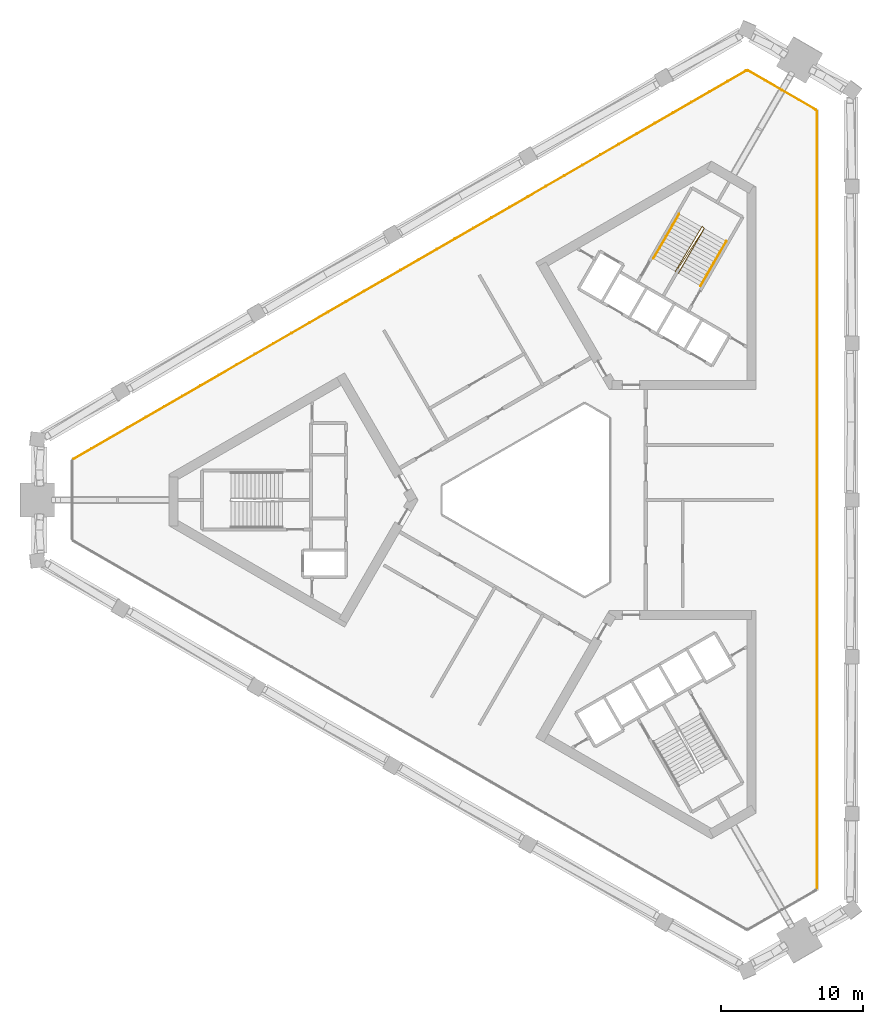
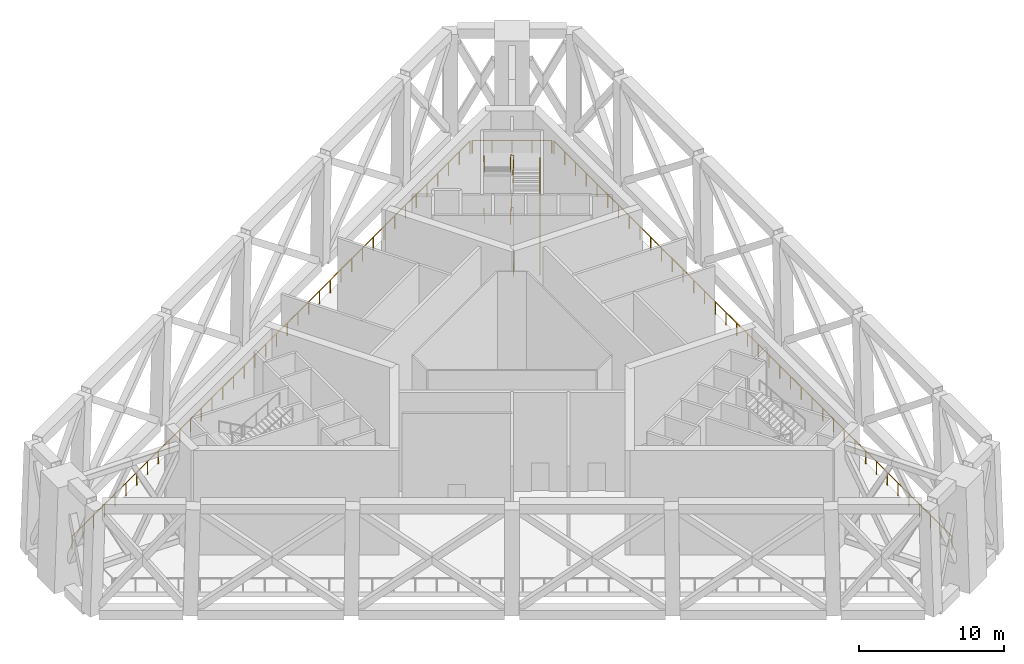
# One storey, part 8 of 8: 8 railings.
"""IFC4 building model written with IfcOpenShell, lengths in metres."""

from ifc_helpers import new_model, si_unit, direction, frame, origin, origin_2d, place, context, subcontext, project, spatial, circle, extrude, material, type_object, element, save


model = new_model("IFC4")

# Units and contexts
model_context = context("Model", 3, precision=1e-05, world=origin(), true_north=direction((0.0, 1.0)))
body_context = subcontext(model_context, "Body", "Model", "MODEL_VIEW")
ifc_project = project(units=[si_unit("LENGTHUNIT", "METRE"), si_unit("AREAUNIT", "SQUARE_METRE"), si_unit("VOLUMEUNIT", "CUBIC_METRE"), si_unit("PLANEANGLEUNIT", "RADIAN"), si_unit("MASSUNIT", "GRAM", prefix="KILO")], contexts=[model_context])

# Site, building, storey
site_placement = place(None, origin())
site = spatial("IfcSite", under=ifc_project, at=site_placement, CompositionType="ELEMENT")
building_placement = place(site_placement, origin())
building = spatial("IfcBuilding", under=site, at=building_placement, Name="Jabali Bay Hotel Tower and Convention Centre", CompositionType="ELEMENT")
storey_placement = place(building_placement, frame((0.0, 0.0, 147.5)))
storey = spatial("IfcBuildingStorey", under=building, at=storey_placement, Name="L36", CompositionType="ELEMENT", Elevation=147.5)

# Railings
ifc_material = material(Name="Steel Q355B", Category="steel")
railing_type_1 = type_object("IfcRailingType", Name="Stair guard 1100", PredefinedType="GUARDRAIL", material=ifc_material)
railing_1_placement = place(storey_placement, frame((84.329833984375, 96.010009765625, 0.0)))
element("IfcRailing", 1, at=railing_1_placement, inside=storey, type_object=railing_type_1, Name="L36 ST2 stair guard 1", PredefinedType="GUARDRAIL", context=body_context, shape_type="SweptSolid", body=[
    extrude(circle(Radius=0.02392578125, at=origin_2d()), frame((0.0, 0.0, 1.076171875), z_axis=(0.396471330136, 0.106197677715, 0.911884059312), x_axis=(-0.258736085224, 0.965948051503, 0.0)), (0.0, 0.0, 1.0), 0.17236328125),
    extrude(circle(Radius=0.02392578125, at=origin_2d()), frame((0.068359375, 0.018310546875, 1.2333984375), z_axis=(0.436044357701, 0.755225318126, 0.48938740991), x_axis=(-0.866018046521, 0.500012742938, 0.0)), (0.0, 0.0, 1.0), 4.174072265625),
    extrude(circle(Radius=0.02392578125, at=origin_2d()), frame((1.888427734375, 3.170654296875, 3.27587890625), z_axis=(-0.718850276695, 0.695164929852, 0.0), x_axis=(-0.695164929852, -0.718850276695, 0.0)), (0.0, 0.0, 1.0), 0.2060546875),
    extrude(circle(Radius=0.02392578125, at=origin_2d()), frame((1.740234375, 3.31396484375, 3.27587890625), z_axis=(-0.439537937446, -0.737980503376, 0.512046070372), x_axis=(0.859157857954, -0.511710636118, 0.0)), (0.0, 0.0, 1.0), 4.29638671875),
    extrude(circle(Radius=0.02392578125, at=origin_2d()), frame((-0.148193359375, 0.143310546875, 5.47607421875), z_axis=(0.258736085224, -0.965948051503, 0.0), x_axis=(0.965948051503, 0.258736085224, 0.0)), (0.0, 0.0, 1.0), 0.07080078125),
    extrude(circle(Radius=0.02392578125, at=origin_2d()), frame((-0.1298828125, 0.074951171875, 5.47607421875), z_axis=(0.4692753877, 0.719778869728, 0.511565234542), x_axis=(-0.837688130049, 0.546148877848, 0.0)), (0.0, 0.0, 1.0), 4.301025390625),
    extrude(circle(Radius=0.02392578125, at=origin_2d()), frame((1.888427734375, 3.170654296875, 7.67626953125), z_axis=(-0.718850276695, 0.695164929852, 0.0), x_axis=(-0.695164929852, -0.718850276695, 0.0)), (0.0, 0.0, 1.0), 0.2060546875),
    extrude(circle(Radius=0.02392578125, at=origin_2d()), frame((1.740234375, 3.31396484375, 7.67626953125), z_axis=(-0.439537937446, -0.737980503376, 0.512046070372), x_axis=(0.859157857954, -0.511710636118, 0.0)), (0.0, 0.0, 1.0), 4.29638671875),
    extrude(circle(Radius=0.02099609375, at=origin_2d()), origin(), (0.0, 0.0, 1.0), 1.052001953125),
    extrude(circle(Radius=0.02099609375, at=origin_2d()), frame((0.068359375, 0.018310546875, 0.1572265625)), (0.0, 0.0, 1.0), 1.052001953125),
    extrude(circle(Radius=0.02099609375, at=origin_2d()), frame((0.5234375, 0.806396484375, 0.66796875)), (0.0, 0.0, 1.0), 1.052001953125),
    extrude(circle(Radius=0.02099609375, at=origin_2d()), frame((0.978515625, 1.594482421875, 1.1787109375)), (0.0, 0.0, 1.0), 1.052001953125),
    extrude(circle(Radius=0.02099609375, at=origin_2d()), frame((1.433349609375, 2.382568359375, 1.689208984375)), (0.0, 0.0, 1.0), 1.052001953125),
    extrude(circle(Radius=0.02099609375, at=origin_2d()), frame((1.888427734375, 3.170654296875, 2.199951171875)), (0.0, 0.0, 1.0), 1.052001953125),
    extrude(circle(Radius=0.02099609375, at=origin_2d()), frame((1.740234375, 3.31396484375, 2.199951171875)), (0.0, 0.0, 1.0), 1.052001953125),
    extrude(circle(Radius=0.02099609375, at=origin_2d()), frame((1.26806640625, 2.521240234375, 2.75)), (0.0, 0.0, 1.0), 1.052001953125),
    extrude(circle(Radius=0.02099609375, at=origin_2d()), frame((0.7958984375, 1.728515625, 3.2998046875)), (0.0, 0.0, 1.0), 1.052001953125),
    extrude(circle(Radius=0.02099609375, at=origin_2d()), frame((0.323974609375, 0.93603515625, 3.849853515625)), (0.0, 0.0, 1.0), 1.052001953125),
    extrude(circle(Radius=0.02099609375, at=origin_2d()), frame((-0.148193359375, 0.143310546875, 4.39990234375)), (0.0, 0.0, 1.0), 1.052001953125),
    extrude(circle(Radius=0.02099609375, at=origin_2d()), frame((-0.1298828125, 0.074951171875, 4.39990234375)), (0.0, 0.0, 1.0), 1.052001953125),
    extrude(circle(Radius=0.02099609375, at=origin_2d()), frame((0.374755859375, 0.848876953125, 4.949951171875)), (0.0, 0.0, 1.0), 1.052001953125),
    extrude(circle(Radius=0.02099609375, at=origin_2d()), frame((0.87939453125, 1.622802734375, 5.5)), (0.0, 0.0, 1.0), 1.052001953125),
    extrude(circle(Radius=0.02099609375, at=origin_2d()), frame((1.3837890625, 2.396728515625, 6.050048828125)), (0.0, 0.0, 1.0), 1.052001953125),
    extrude(circle(Radius=0.02099609375, at=origin_2d()), frame((1.888427734375, 3.170654296875, 6.60009765625)), (0.0, 0.0, 1.0), 1.052001953125),
    extrude(circle(Radius=0.02099609375, at=origin_2d()), frame((1.740234375, 3.31396484375, 6.60009765625)), (0.0, 0.0, 1.0), 1.052001953125),
    extrude(circle(Radius=0.02099609375, at=origin_2d()), frame((1.26806640625, 2.521240234375, 7.150146484375)), (0.0, 0.0, 1.0), 1.052001953125),
    extrude(circle(Radius=0.02099609375, at=origin_2d()), frame((0.7958984375, 1.728515625, 7.7001953125)), (0.0, 0.0, 1.0), 1.052001953125),
    extrude(circle(Radius=0.02099609375, at=origin_2d()), frame((0.323974609375, 0.93603515625, 8.25)), (0.0, 0.0, 1.0), 1.052001953125),
    extrude(circle(Radius=0.02099609375, at=origin_2d()), frame((-0.148193359375, 0.143310546875, 8.800048828125)), (0.0, 0.0, 1.0), 1.052001953125),
])
railing_type_2 = type_object("IfcRailingType", Name="Stair handrail 900", PredefinedType="HANDRAIL", material=ifc_material)
railing_2_placement = place(storey_placement, frame((85.95703125, 95.128173828125, 0.1572265625)))
element("IfcRailing", 2, at=railing_2_placement, inside=storey, type_object=railing_type_2, Name="L36 ST2 stair handrail 1", PredefinedType="HANDRAIL", context=body_context, shape_type="SweptSolid", body=[
    extrude(circle(Radius=0.02392578125, at=origin_2d()), frame((0.0, 0.0, 0.8759765625), z_axis=(0.436044357701, 0.755225318126, 0.48938740991), x_axis=(-0.866018046521, 0.500012742938, 0.0)), (0.0, 0.0, 1.0), 4.174072265625),
    extrude(circle(Radius=0.02099609375, at=origin_2d()), origin(), (0.0, 0.0, 1.0), 0.851806640625),
    extrude(circle(Radius=0.02099609375, at=origin_2d()), frame((0.455078125, 0.7880859375, 0.5107421875)), (0.0, 0.0, 1.0), 0.851806640625),
    extrude(circle(Radius=0.02099609375, at=origin_2d()), frame((0.91015625, 1.576171875, 1.021484375)), (0.0, 0.0, 1.0), 0.851806640625),
    extrude(circle(Radius=0.02099609375, at=origin_2d()), frame((1.364990234375, 2.3642578125, 1.531982421875)), (0.0, 0.0, 1.0), 0.851806640625),
    extrude(circle(Radius=0.02099609375, at=origin_2d()), frame((1.820068359375, 3.15234375, 2.042724609375)), (0.0, 0.0, 1.0), 0.851806640625),
])
railing_3_placement = place(storey_placement, frame((84.44287109375, 100.20556640625, 2.357177734375)))
element("IfcRailing", 3, at=railing_3_placement, inside=storey, type_object=railing_type_2, Name="L36 ST2 stair handrail 2", PredefinedType="HANDRAIL", context=body_context, shape_type="SweptSolid", body=[
    extrude(circle(Radius=0.02392578125, at=origin_2d()), frame((0.0, 0.0, 0.8759765625), z_axis=(-0.436044357701, -0.755225318126, 0.48938740991), x_axis=(0.866018046521, -0.500012742938, 0.0)), (0.0, 0.0, 1.0), 4.174072265625),
    extrude(circle(Radius=0.02099609375, at=origin_2d()), origin(), (0.0, 0.0, 1.0), 0.851806640625),
    extrude(circle(Radius=0.02099609375, at=origin_2d()), frame((-0.455078125, -0.7880859375, 0.5107421875)), (0.0, 0.0, 1.0), 0.851806640625),
    extrude(circle(Radius=0.02099609375, at=origin_2d()), frame((-0.91015625, -1.576171875, 1.021484375)), (0.0, 0.0, 1.0), 0.851806640625),
    extrude(circle(Radius=0.02099609375, at=origin_2d()), frame((-1.364990234375, -2.3642578125, 1.531982421875)), (0.0, 0.0, 1.0), 0.851806640625),
    extrude(circle(Radius=0.02099609375, at=origin_2d()), frame((-1.820068359375, -3.15234375, 2.042724609375)), (0.0, 0.0, 1.0), 0.851806640625),
])
railing_4_placement = place(storey_placement, frame((85.95703125, 95.128173828125, 4.55712890625)))
element("IfcRailing", 4, at=railing_4_placement, inside=storey, type_object=railing_type_2, Name="L36 ST2 stair handrail 3", PredefinedType="HANDRAIL", context=body_context, shape_type="SweptSolid", body=[
    extrude(circle(Radius=0.02392578125, at=origin_2d()), frame((0.0, 0.0, 0.8759765625), z_axis=(0.436031875999, 0.75520369992, 0.489431889787), x_axis=(-0.866018046521, 0.500012742938, 0.0)), (0.0, 0.0, 1.0), 4.174072265625),
    extrude(circle(Radius=0.02099609375, at=origin_2d()), origin(), (0.0, 0.0, 1.0), 0.851806640625),
    extrude(circle(Radius=0.02099609375, at=origin_2d()), frame((0.455078125, 0.7880859375, 0.5107421875)), (0.0, 0.0, 1.0), 0.851806640625),
    extrude(circle(Radius=0.02099609375, at=origin_2d()), frame((0.91015625, 1.576171875, 1.021484375)), (0.0, 0.0, 1.0), 0.851806640625),
    extrude(circle(Radius=0.02099609375, at=origin_2d()), frame((1.364990234375, 2.3642578125, 1.5322265625)), (0.0, 0.0, 1.0), 0.851806640625),
    extrude(circle(Radius=0.02099609375, at=origin_2d()), frame((1.820068359375, 3.15234375, 2.04296875)), (0.0, 0.0, 1.0), 0.851806640625),
])
railing_5_placement = place(storey_placement, frame((84.44287109375, 100.20556640625, 6.757080078125)))
element("IfcRailing", 5, at=railing_5_placement, inside=storey, type_object=railing_type_2, Name="L36 ST2 stair handrail 4", PredefinedType="HANDRAIL", context=body_context, shape_type="SweptSolid", body=[
    extrude(circle(Radius=0.02392578125, at=origin_2d()), frame((0.0, 0.0, 0.8759765625), z_axis=(-0.436031875999, -0.75520369992, 0.489431889787), x_axis=(0.866018046521, -0.500012742938, 0.0)), (0.0, 0.0, 1.0), 4.174072265625),
    extrude(circle(Radius=0.02099609375, at=origin_2d()), origin(), (0.0, 0.0, 1.0), 0.851806640625),
    extrude(circle(Radius=0.02099609375, at=origin_2d()), frame((-0.455078125, -0.7880859375, 0.5107421875)), (0.0, 0.0, 1.0), 0.851806640625),
    extrude(circle(Radius=0.02099609375, at=origin_2d()), frame((-0.91015625, -1.576171875, 1.021484375)), (0.0, 0.0, 1.0), 0.851806640625),
    extrude(circle(Radius=0.02099609375, at=origin_2d()), frame((-1.364990234375, -2.3642578125, 1.5322265625)), (0.0, 0.0, 1.0), 0.851806640625),
    extrude(circle(Radius=0.02099609375, at=origin_2d()), frame((-1.820068359375, -3.15234375, 2.04296875)), (0.0, 0.0, 1.0), 0.851806640625),
])
railing_type_3 = type_object("IfcRailingType", Name="Wind floor guard 1100", PredefinedType="GUARDRAIL", material=ifc_material)
railing_6_placement = place(storey_placement, frame((94.177734375, 52.568603515625, 0.0)))
element("IfcRailing", 6, at=railing_6_placement, inside=storey, type_object=railing_type_3, Name="Wind floor guard L36 run 1", PredefinedType="GUARDRAIL", context=body_context, shape_type="SweptSolid", body=[
    extrude(circle(Radius=0.02490234375, at=origin_2d()), frame((0.0, 0.0, 1.0751953125), z_axis=(0.0, 1.0, 0.0), x_axis=(-1.0, 0.0, 0.0)), (0.0, 0.0, 1.0), 54.86279296875),
    extrude(circle(Radius=0.02490234375, at=origin_2d()), origin(), (0.0, 0.0, 1.0), 1.050048828125),
    extrude(circle(Radius=0.02490234375, at=origin_2d()), frame((0.0, 1.482666015625, 0.0)), (0.0, 0.0, 1.0), 1.050048828125),
    extrude(circle(Radius=0.02490234375, at=origin_2d()), frame((0.0, 2.965576171875, 0.0)), (0.0, 0.0, 1.0), 1.050048828125),
    extrude(circle(Radius=0.02490234375, at=origin_2d()), frame((0.0, 4.4482421875, 0.0)), (0.0, 0.0, 1.0), 1.050048828125),
    extrude(circle(Radius=0.02490234375, at=origin_2d()), frame((0.0, 5.93115234375, 0.0)), (0.0, 0.0, 1.0), 1.050048828125),
    extrude(circle(Radius=0.02490234375, at=origin_2d()), frame((0.0, 7.413818359375, 0.0)), (0.0, 0.0, 1.0), 1.050048828125),
    extrude(circle(Radius=0.02490234375, at=origin_2d()), frame((0.0, 8.896728515625, 0.0)), (0.0, 0.0, 1.0), 1.050048828125),
    extrude(circle(Radius=0.02490234375, at=origin_2d()), frame((0.0, 10.37939453125, 0.0)), (0.0, 0.0, 1.0), 1.050048828125),
    extrude(circle(Radius=0.02490234375, at=origin_2d()), frame((0.0, 11.8623046875, 0.0)), (0.0, 0.0, 1.0), 1.050048828125),
    extrude(circle(Radius=0.02490234375, at=origin_2d()), frame((0.0, 13.344970703125, 0.0)), (0.0, 0.0, 1.0), 1.050048828125),
    extrude(circle(Radius=0.02490234375, at=origin_2d()), frame((0.0, 14.827880859375, 0.0)), (0.0, 0.0, 1.0), 1.050048828125),
    extrude(circle(Radius=0.02490234375, at=origin_2d()), frame((0.0, 16.310546875, 0.0)), (0.0, 0.0, 1.0), 1.050048828125),
    extrude(circle(Radius=0.02490234375, at=origin_2d()), frame((0.0, 17.79345703125, 0.0)), (0.0, 0.0, 1.0), 1.050048828125),
    extrude(circle(Radius=0.02490234375, at=origin_2d()), frame((0.0, 19.276123046875, 0.0)), (0.0, 0.0, 1.0), 1.050048828125),
    extrude(circle(Radius=0.02490234375, at=origin_2d()), frame((0.0, 20.7587890625, 0.0)), (0.0, 0.0, 1.0), 1.050048828125),
    extrude(circle(Radius=0.02490234375, at=origin_2d()), frame((0.0, 22.24169921875, 0.0)), (0.0, 0.0, 1.0), 1.050048828125),
    extrude(circle(Radius=0.02490234375, at=origin_2d()), frame((0.0, 23.724365234375, 0.0)), (0.0, 0.0, 1.0), 1.050048828125),
    extrude(circle(Radius=0.02490234375, at=origin_2d()), frame((0.0, 25.207275390625, 0.0)), (0.0, 0.0, 1.0), 1.050048828125),
    extrude(circle(Radius=0.02490234375, at=origin_2d()), frame((0.0, 26.68994140625, 0.0)), (0.0, 0.0, 1.0), 1.050048828125),
    extrude(circle(Radius=0.02490234375, at=origin_2d()), frame((0.0, 28.1728515625, 0.0)), (0.0, 0.0, 1.0), 1.050048828125),
    extrude(circle(Radius=0.02490234375, at=origin_2d()), frame((0.0, 29.655517578125, 0.0)), (0.0, 0.0, 1.0), 1.050048828125),
    extrude(circle(Radius=0.02490234375, at=origin_2d()), frame((0.0, 31.138427734375, 0.0)), (0.0, 0.0, 1.0), 1.050048828125),
    extrude(circle(Radius=0.02490234375, at=origin_2d()), frame((0.0, 32.62109375, 0.0)), (0.0, 0.0, 1.0), 1.050048828125),
    extrude(circle(Radius=0.02490234375, at=origin_2d()), frame((0.0, 34.10400390625, 0.0)), (0.0, 0.0, 1.0), 1.050048828125),
    extrude(circle(Radius=0.02490234375, at=origin_2d()), frame((0.0, 35.586669921875, 0.0)), (0.0, 0.0, 1.0), 1.050048828125),
    extrude(circle(Radius=0.02490234375, at=origin_2d()), frame((0.0, 37.0693359375, 0.0)), (0.0, 0.0, 1.0), 1.050048828125),
    extrude(circle(Radius=0.02490234375, at=origin_2d()), frame((0.0, 38.55224609375, 0.0)), (0.0, 0.0, 1.0), 1.050048828125),
    extrude(circle(Radius=0.02490234375, at=origin_2d()), frame((0.0, 40.034912109375, 0.0)), (0.0, 0.0, 1.0), 1.050048828125),
    extrude(circle(Radius=0.02490234375, at=origin_2d()), frame((0.0, 41.517822265625, 0.0)), (0.0, 0.0, 1.0), 1.050048828125),
    extrude(circle(Radius=0.02490234375, at=origin_2d()), frame((0.0, 43.00048828125, 0.0)), (0.0, 0.0, 1.0), 1.050048828125),
    extrude(circle(Radius=0.02490234375, at=origin_2d()), frame((0.0, 44.4833984375, 0.0)), (0.0, 0.0, 1.0), 1.050048828125),
    extrude(circle(Radius=0.02490234375, at=origin_2d()), frame((0.0, 45.966064453125, 0.0)), (0.0, 0.0, 1.0), 1.050048828125),
    extrude(circle(Radius=0.02490234375, at=origin_2d()), frame((0.0, 47.448974609375, 0.0)), (0.0, 0.0, 1.0), 1.050048828125),
    extrude(circle(Radius=0.02490234375, at=origin_2d()), frame((0.0, 48.931640625, 0.0)), (0.0, 0.0, 1.0), 1.050048828125),
    extrude(circle(Radius=0.02490234375, at=origin_2d()), frame((0.0, 50.41455078125, 0.0)), (0.0, 0.0, 1.0), 1.050048828125),
    extrude(circle(Radius=0.02490234375, at=origin_2d()), frame((0.0, 51.897216796875, 0.0)), (0.0, 0.0, 1.0), 1.050048828125),
    extrude(circle(Radius=0.02490234375, at=origin_2d()), frame((0.0, 53.380126953125, 0.0)), (0.0, 0.0, 1.0), 1.050048828125),
    extrude(circle(Radius=0.02490234375, at=origin_2d()), frame((0.0, 54.86279296875, 0.0)), (0.0, 0.0, 1.0), 1.050048828125),
])
railing_7_placement = place(storey_placement, frame((94.09130859375, 107.581298828125, 0.0)))
element("IfcRailing", 7, at=railing_7_placement, inside=storey, type_object=railing_type_3, Name="Wind floor guard L36 run 2", PredefinedType="GUARDRAIL", context=body_context, shape_type="SweptSolid", body=[
    extrude(circle(Radius=0.02490234375, at=origin_2d()), frame((0.0, 0.0, 1.0751953125), z_axis=(-0.866018830095, 0.500011385791, 0.0), x_axis=(-0.500011385791, -0.866018830095, 0.0)), (0.0, 0.0, 1.0), 5.485595703125),
    extrude(circle(Radius=0.02490234375, at=origin_2d()), origin(), (0.0, 0.0, 1.0), 1.050048828125),
    extrude(circle(Radius=0.02490234375, at=origin_2d()), frame((-1.187744140625, 0.685791015625, 0.0)), (0.0, 0.0, 1.0), 1.050048828125),
    extrude(circle(Radius=0.02490234375, at=origin_2d()), frame((-2.37548828125, 1.37158203125, 0.0)), (0.0, 0.0, 1.0), 1.050048828125),
    extrude(circle(Radius=0.02490234375, at=origin_2d()), frame((-3.56298828125, 2.05712890625, 0.0)), (0.0, 0.0, 1.0), 1.050048828125),
    extrude(circle(Radius=0.02490234375, at=origin_2d()), frame((-4.750732421875, 2.742919921875, 0.0)), (0.0, 0.0, 1.0), 1.050048828125),
])
railing_8_placement = place(storey_placement, frame((89.167236328125, 110.32421875, 0.0)))
element("IfcRailing", 8, at=railing_8_placement, inside=storey, type_object=railing_type_3, Name="Wind floor guard L36 run 3", PredefinedType="GUARDRAIL", context=body_context, shape_type="SweptSolid", body=[
    extrude(circle(Radius=0.02490234375, at=origin_2d()), frame((0.0, 0.0, 1.0751953125), z_axis=(-0.866024851215, -0.500000957077, 0.0), x_axis=(0.500000957077, -0.866024851215, 0.0)), (0.0, 0.0, 1.0), 54.86279296875),
    extrude(circle(Radius=0.02490234375, at=origin_2d()), origin(), (0.0, 0.0, 1.0), 1.050048828125),
    extrude(circle(Radius=0.02490234375, at=origin_2d()), frame((-1.2841796875, -0.741455078125, 0.0)), (0.0, 0.0, 1.0), 1.050048828125),
    extrude(circle(Radius=0.02490234375, at=origin_2d()), frame((-2.568359375, -1.482666015625, 0.0)), (0.0, 0.0, 1.0), 1.050048828125),
    extrude(circle(Radius=0.02490234375, at=origin_2d()), frame((-3.852294921875, -2.22412109375, 0.0)), (0.0, 0.0, 1.0), 1.050048828125),
    extrude(circle(Radius=0.02490234375, at=origin_2d()), frame((-5.136474609375, -2.965576171875, 0.0)), (0.0, 0.0, 1.0), 1.050048828125),
    extrude(circle(Radius=0.02490234375, at=origin_2d()), frame((-6.420654296875, -3.70703125, 0.0)), (0.0, 0.0, 1.0), 1.050048828125),
    extrude(circle(Radius=0.02490234375, at=origin_2d()), frame((-7.704833984375, -4.4482421875, 0.0)), (0.0, 0.0, 1.0), 1.050048828125),
    extrude(circle(Radius=0.02490234375, at=origin_2d()), frame((-8.98876953125, -5.189697265625, 0.0)), (0.0, 0.0, 1.0), 1.050048828125),
    extrude(circle(Radius=0.02490234375, at=origin_2d()), frame((-10.27294921875, -5.93115234375, 0.0)), (0.0, 0.0, 1.0), 1.050048828125),
    extrude(circle(Radius=0.02490234375, at=origin_2d()), frame((-11.55712890625, -6.672607421875, 0.0)), (0.0, 0.0, 1.0), 1.050048828125),
    extrude(circle(Radius=0.02490234375, at=origin_2d()), frame((-12.84130859375, -7.413818359375, 0.0)), (0.0, 0.0, 1.0), 1.050048828125),
    extrude(circle(Radius=0.02490234375, at=origin_2d()), frame((-14.125244140625, -8.1552734375, 0.0)), (0.0, 0.0, 1.0), 1.050048828125),
    extrude(circle(Radius=0.02490234375, at=origin_2d()), frame((-15.409423828125, -8.896728515625, 0.0)), (0.0, 0.0, 1.0), 1.050048828125),
    extrude(circle(Radius=0.02490234375, at=origin_2d()), frame((-16.693603515625, -9.637939453125, 0.0)), (0.0, 0.0, 1.0), 1.050048828125),
    extrude(circle(Radius=0.02490234375, at=origin_2d()), frame((-17.977783203125, -10.37939453125, 0.0)), (0.0, 0.0, 1.0), 1.050048828125),
    extrude(circle(Radius=0.02490234375, at=origin_2d()), frame((-19.26171875, -11.120849609375, 0.0)), (0.0, 0.0, 1.0), 1.050048828125),
    extrude(circle(Radius=0.02490234375, at=origin_2d()), frame((-20.5458984375, -11.8623046875, 0.0)), (0.0, 0.0, 1.0), 1.050048828125),
    extrude(circle(Radius=0.02490234375, at=origin_2d()), frame((-21.830078125, -12.603515625, 0.0)), (0.0, 0.0, 1.0), 1.050048828125),
    extrude(circle(Radius=0.02490234375, at=origin_2d()), frame((-23.1142578125, -13.344970703125, 0.0)), (0.0, 0.0, 1.0), 1.050048828125),
    extrude(circle(Radius=0.02490234375, at=origin_2d()), frame((-24.398193359375, -14.08642578125, 0.0)), (0.0, 0.0, 1.0), 1.050048828125),
    extrude(circle(Radius=0.02490234375, at=origin_2d()), frame((-25.682373046875, -14.827880859375, 0.0)), (0.0, 0.0, 1.0), 1.050048828125),
    extrude(circle(Radius=0.02490234375, at=origin_2d()), frame((-26.966552734375, -15.569091796875, 0.0)), (0.0, 0.0, 1.0), 1.050048828125),
    extrude(circle(Radius=0.02490234375, at=origin_2d()), frame((-28.250732421875, -16.310546875, 0.0)), (0.0, 0.0, 1.0), 1.050048828125),
    extrude(circle(Radius=0.02490234375, at=origin_2d()), frame((-29.53466796875, -17.052001953125, 0.0)), (0.0, 0.0, 1.0), 1.050048828125),
    extrude(circle(Radius=0.02490234375, at=origin_2d()), frame((-30.81884765625, -17.79345703125, 0.0)), (0.0, 0.0, 1.0), 1.050048828125),
    extrude(circle(Radius=0.02490234375, at=origin_2d()), frame((-32.10302734375, -18.53466796875, 0.0)), (0.0, 0.0, 1.0), 1.050048828125),
    extrude(circle(Radius=0.02490234375, at=origin_2d()), frame((-33.38720703125, -19.276123046875, 0.0)), (0.0, 0.0, 1.0), 1.050048828125),
    extrude(circle(Radius=0.02490234375, at=origin_2d()), frame((-34.671142578125, -20.017578125, 0.0)), (0.0, 0.0, 1.0), 1.050048828125),
    extrude(circle(Radius=0.02490234375, at=origin_2d()), frame((-35.955322265625, -20.7587890625, 0.0)), (0.0, 0.0, 1.0), 1.050048828125),
    extrude(circle(Radius=0.02490234375, at=origin_2d()), frame((-37.239501953125, -21.500244140625, 0.0)), (0.0, 0.0, 1.0), 1.050048828125),
    extrude(circle(Radius=0.02490234375, at=origin_2d()), frame((-38.523681640625, -22.24169921875, 0.0)), (0.0, 0.0, 1.0), 1.050048828125),
    extrude(circle(Radius=0.02490234375, at=origin_2d()), frame((-39.8076171875, -22.983154296875, 0.0)), (0.0, 0.0, 1.0), 1.050048828125),
    extrude(circle(Radius=0.02490234375, at=origin_2d()), frame((-41.091796875, -23.724365234375, 0.0)), (0.0, 0.0, 1.0), 1.050048828125),
    extrude(circle(Radius=0.02490234375, at=origin_2d()), frame((-42.3759765625, -24.4658203125, 0.0)), (0.0, 0.0, 1.0), 1.050048828125),
    extrude(circle(Radius=0.02490234375, at=origin_2d()), frame((-43.66015625, -25.207275390625, 0.0)), (0.0, 0.0, 1.0), 1.050048828125),
    extrude(circle(Radius=0.02490234375, at=origin_2d()), frame((-44.944091796875, -25.94873046875, 0.0)), (0.0, 0.0, 1.0), 1.050048828125),
    extrude(circle(Radius=0.02490234375, at=origin_2d()), frame((-46.228271484375, -26.68994140625, 0.0)), (0.0, 0.0, 1.0), 1.050048828125),
    extrude(circle(Radius=0.02490234375, at=origin_2d()), frame((-47.512451171875, -27.431396484375, 0.0)), (0.0, 0.0, 1.0), 1.050048828125),
])

save(model, "model.ifc")
